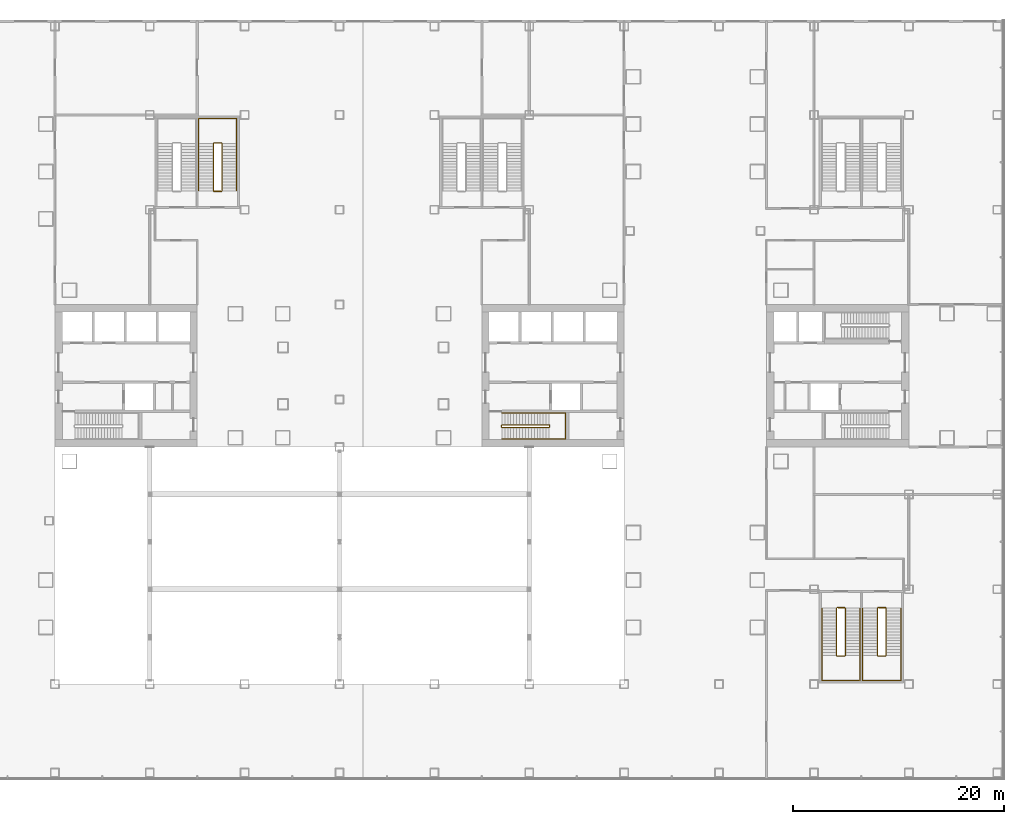
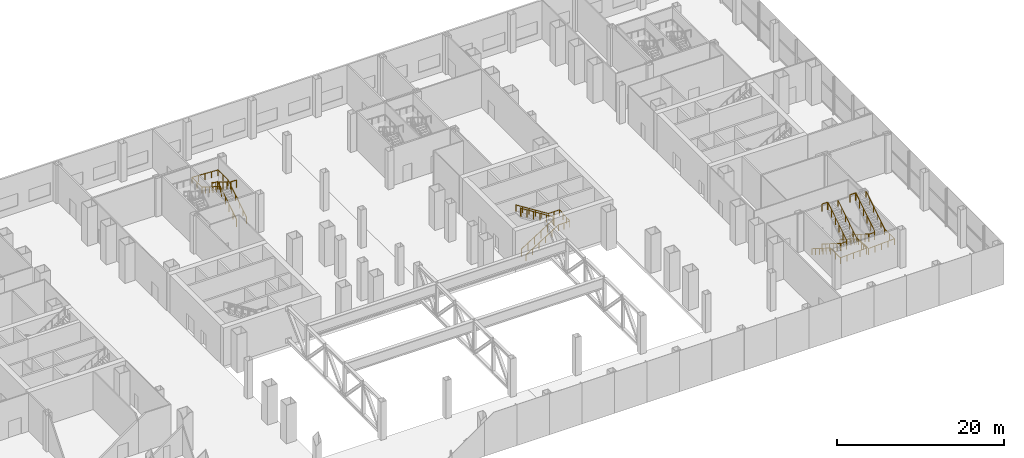
# One storey, part 31 of 33: 8 railings.
"""IFC4 building model written with IfcOpenShell, lengths in metres."""

from ifc_helpers import new_model, si_unit, direction, frame, origin, origin_2d, place, context, subcontext, project, spatial, circle, extrude, material, type_object, element, save


model = new_model("IFC4")

# Units and contexts
model_context = context("Model", 3, precision=1e-05, world=origin(), true_north=direction((0.0, 1.0)))
body_context = subcontext(model_context, "Body", "Model", "MODEL_VIEW")
ifc_project = project(units=[si_unit("LENGTHUNIT", "METRE"), si_unit("AREAUNIT", "SQUARE_METRE"), si_unit("VOLUMEUNIT", "CUBIC_METRE"), si_unit("PLANEANGLEUNIT", "RADIAN"), si_unit("MASSUNIT", "GRAM", prefix="KILO")], contexts=[model_context])

# Site, building, storey
site_placement = place(None, origin())
site = spatial("IfcSite", under=ifc_project, at=site_placement, CompositionType="ELEMENT")
building_placement = place(site_placement, origin())
building = spatial("IfcBuilding", under=site, at=building_placement, Name="Shamsa Quay Exchange Towers", CompositionType="ELEMENT")
storey_placement = place(building_placement, frame((0.0, 0.0, 6.5)))
storey = spatial("IfcBuildingStorey", under=building, at=storey_placement, Name="L01", CompositionType="ELEMENT", Elevation=6.5)

# Railings
ifc_material = material(Name="Stainless steel", Category="steel")
railing_type_1 = type_object("IfcRailingType", Name="STAIR GUARD 1100", PredefinedType="GUARDRAIL", material=ifc_material)
railing_1_placement = place(storey_placement, frame((15.39990234375, -4.89990234375, 0.176513671875)))
element("IfcRailing", 1, at=railing_1_placement, inside=storey, type_object=railing_type_1, Name="L01 ST4 stair guard 1", PredefinedType="GUARDRAIL", context=body_context, shape_type="SweptSolid", body=[
    extrude(circle(Radius=0.02392578125, at=origin_2d()), frame((0.0, 0.0, 1.076171875), z_axis=(0.845997938375, 0.0, 0.533186166611), x_axis=(0.0, 1.0, 0.0)), (0.0, 0.0, 1.0), 5.29541015625),
    extrude(circle(Radius=0.02392578125, at=origin_2d()), frame((4.47998046875, 0.0, 3.8994140625), z_axis=(0.708833529934, 0.705375805398, 0.0), x_axis=(-0.705375805398, 0.708833529934, 0.0)), (0.0, 0.0, 1.0), 0.070556640625),
    extrude(circle(Radius=0.02392578125, at=origin_2d()), frame((4.530029296875, 0.0498046875, 3.8994140625), z_axis=(0.0, 1.0, 0.0), x_axis=(-1.0, 0.0, 0.0)), (0.0, 0.0, 1.0), 0.150146484375),
    extrude(circle(Radius=0.02392578125, at=origin_2d()), frame((4.530029296875, 0.199951171875, 3.8994140625), z_axis=(-0.263171338983, 0.263171338983, 0.928160380902), x_axis=(-0.707106781187, -0.707106781187, 0.0)), (0.0, 0.0, 1.0), 0.190185546875),
    extrude(circle(Radius=0.02392578125, at=origin_2d()), frame((4.47998046875, 0.25, 4.076171875), z_axis=(-0.845997938375, 0.0, 0.533186166611), x_axis=(0.0, -1.0, 0.0)), (0.0, 0.0, 1.0), 5.29541015625),
    extrude(circle(Radius=0.02392578125, at=origin_2d()), frame((0.0, 0.25, 6.8994140625), z_axis=(-0.24142163986, -0.970420317083, 0.0), x_axis=(0.970420317083, -0.24142163986, 0.0)), (0.0, 0.0, 1.0), 0.206298828125),
    extrude(circle(Radius=0.02392578125, at=origin_2d()), frame((-0.0498046875, 0.0498046875, 6.8994140625), z_axis=(0.0, 1.0, 0.0), x_axis=(-1.0, 0.0, 0.0)), (0.0, 0.0, 1.0), 0.150146484375),
    extrude(circle(Radius=0.02099609375, at=origin_2d()), origin(), (0.0, 0.0, 1.0), 1.052001953125),
    extrude(circle(Radius=0.02099609375, at=origin_2d()), frame((0.89599609375, 0.0, 0.564697265625)), (0.0, 0.0, 1.0), 1.052001953125),
    extrude(circle(Radius=0.02099609375, at=origin_2d()), frame((1.7919921875, 0.0, 1.12939453125)), (0.0, 0.0, 1.0), 1.052001953125),
    extrude(circle(Radius=0.02099609375, at=origin_2d()), frame((2.68798828125, 0.0, 1.694091796875)), (0.0, 0.0, 1.0), 1.052001953125),
    extrude(circle(Radius=0.02099609375, at=origin_2d()), frame((3.583984375, 0.0, 2.2587890625)), (0.0, 0.0, 1.0), 1.052001953125),
    extrude(circle(Radius=0.02099609375, at=origin_2d()), frame((4.47998046875, 0.0, 2.823486328125)), (0.0, 0.0, 1.0), 1.052001953125),
    extrude(circle(Radius=0.02099609375, at=origin_2d()), frame((4.530029296875, 0.0498046875, 2.823486328125)), (0.0, 0.0, 1.0), 1.052001953125),
    extrude(circle(Radius=0.02099609375, at=origin_2d()), frame((4.530029296875, 0.199951171875, 2.823486328125)), (0.0, 0.0, 1.0), 1.052001953125),
    extrude(circle(Radius=0.02099609375, at=origin_2d()), frame((4.47998046875, 0.25, 3.0)), (0.0, 0.0, 1.0), 1.052001953125),
    extrude(circle(Radius=0.02099609375, at=origin_2d()), frame((3.583984375, 0.25, 3.564697265625)), (0.0, 0.0, 1.0), 1.052001953125),
    extrude(circle(Radius=0.02099609375, at=origin_2d()), frame((2.68798828125, 0.25, 4.12939453125)), (0.0, 0.0, 1.0), 1.052001953125),
    extrude(circle(Radius=0.02099609375, at=origin_2d()), frame((1.7919921875, 0.25, 4.694091796875)), (0.0, 0.0, 1.0), 1.052001953125),
    extrude(circle(Radius=0.02099609375, at=origin_2d()), frame((0.89599609375, 0.25, 5.2587890625)), (0.0, 0.0, 1.0), 1.052001953125),
    extrude(circle(Radius=0.02099609375, at=origin_2d()), frame((0.0, 0.25, 5.823486328125)), (0.0, 0.0, 1.0), 1.052001953125),
    extrude(circle(Radius=0.02099609375, at=origin_2d()), frame((-0.0498046875, 0.0498046875, 5.823486328125)), (0.0, 0.0, 1.0), 1.052001953125),
    extrude(circle(Radius=0.02099609375, at=origin_2d()), frame((-0.0498046875, 0.199951171875, 5.823486328125)), (0.0, 0.0, 1.0), 1.052001953125),
])
railing_2_placement = place(storey_placement, frame((-11.14990234375, 17.550048828125, 0.176513671875)))
element("IfcRailing", 2, at=railing_2_placement, inside=storey, type_object=railing_type_1, Name="L01 PS2B stair guard 1", PredefinedType="GUARDRAIL", context=body_context, shape_type="SweptSolid", body=[
    extrude(circle(Radius=0.02392578125, at=origin_2d()), frame((0.0, 0.0, 1.076171875), z_axis=(0.0, 0.845997938375, 0.533186166611), x_axis=(-1.0, 0.0, 0.0)), (0.0, 0.0, 1.0), 5.29541015625),
    extrude(circle(Radius=0.02392578125, at=origin_2d()), frame((0.0, 4.47998046875, 3.8994140625), z_axis=(-0.707106781187, 0.707106781187, 0.0), x_axis=(-0.707106781187, -0.707106781187, 0.0)), (0.0, 0.0, 1.0), 0.07080078125),
    extrude(circle(Radius=0.02392578125, at=origin_2d()), frame((-0.050048828125, 4.530029296875, 3.8994140625), z_axis=(-1.0, 0.0, 0.0), x_axis=(0.0, -1.0, 0.0)), (0.0, 0.0, 1.0), 0.72509765625),
    extrude(circle(Radius=0.02392578125, at=origin_2d()), frame((-0.775146484375, 4.530029296875, 3.8994140625), z_axis=(-0.263171338983, -0.263171338983, 0.928160380902), x_axis=(0.707106781187, -0.707106781187, 0.0)), (0.0, 0.0, 1.0), 0.190185546875),
    extrude(circle(Radius=0.02392578125, at=origin_2d()), frame((-0.8251953125, 4.47998046875, 4.076171875), z_axis=(0.0, -0.845997938375, 0.533186166611), x_axis=(1.0, 0.0, 0.0)), (0.0, 0.0, 1.0), 5.29541015625),
    extrude(circle(Radius=0.02392578125, at=origin_2d()), frame((-0.8251953125, 0.0, 6.8994140625), z_axis=(0.997922050633, -0.064432762324, 0.0), x_axis=(0.064432762324, 0.997922050633, 0.0)), (0.0, 0.0, 1.0), 0.77685546875),
    extrude(circle(Radius=0.02392578125, at=origin_2d()), frame((-0.050048828125, -0.050048828125, 6.8994140625), z_axis=(-1.0, 0.0, 0.0), x_axis=(0.0, -1.0, 0.0)), (0.0, 0.0, 1.0), 0.72509765625),
    extrude(circle(Radius=0.02099609375, at=origin_2d()), origin(), (0.0, 0.0, 1.0), 1.052001953125),
    extrude(circle(Radius=0.02099609375, at=origin_2d()), frame((0.0, 0.89599609375, 0.564697265625)), (0.0, 0.0, 1.0), 1.052001953125),
    extrude(circle(Radius=0.02099609375, at=origin_2d()), frame((0.0, 1.7919921875, 1.12939453125)), (0.0, 0.0, 1.0), 1.052001953125),
    extrude(circle(Radius=0.02099609375, at=origin_2d()), frame((0.0, 2.68798828125, 1.694091796875)), (0.0, 0.0, 1.0), 1.052001953125),
    extrude(circle(Radius=0.02099609375, at=origin_2d()), frame((0.0, 3.583984375, 2.2587890625)), (0.0, 0.0, 1.0), 1.052001953125),
    extrude(circle(Radius=0.02099609375, at=origin_2d()), frame((0.0, 4.47998046875, 2.823486328125)), (0.0, 0.0, 1.0), 1.052001953125),
    extrude(circle(Radius=0.02099609375, at=origin_2d()), frame((-0.050048828125, 4.530029296875, 2.823486328125)), (0.0, 0.0, 1.0), 1.052001953125),
    extrude(circle(Radius=0.02099609375, at=origin_2d()), frame((-0.775146484375, 4.530029296875, 2.823486328125)), (0.0, 0.0, 1.0), 1.052001953125),
    extrude(circle(Radius=0.02099609375, at=origin_2d()), frame((-0.8251953125, 4.47998046875, 3.0)), (0.0, 0.0, 1.0), 1.052001953125),
    extrude(circle(Radius=0.02099609375, at=origin_2d()), frame((-0.8251953125, 3.583984375, 3.564697265625)), (0.0, 0.0, 1.0), 1.052001953125),
    extrude(circle(Radius=0.02099609375, at=origin_2d()), frame((-0.8251953125, 2.68798828125, 4.12939453125)), (0.0, 0.0, 1.0), 1.052001953125),
    extrude(circle(Radius=0.02099609375, at=origin_2d()), frame((-0.8251953125, 1.7919921875, 4.694091796875)), (0.0, 0.0, 1.0), 1.052001953125),
    extrude(circle(Radius=0.02099609375, at=origin_2d()), frame((-0.8251953125, 0.89599609375, 5.2587890625)), (0.0, 0.0, 1.0), 1.052001953125),
    extrude(circle(Radius=0.02099609375, at=origin_2d()), frame((-0.8251953125, 0.0, 5.823486328125)), (0.0, 0.0, 1.0), 1.052001953125),
    extrude(circle(Radius=0.02099609375, at=origin_2d()), frame((-0.050048828125, -0.050048828125, 5.823486328125)), (0.0, 0.0, 1.0), 1.052001953125),
    extrude(circle(Radius=0.02099609375, at=origin_2d()), frame((-0.775146484375, -0.050048828125, 5.823486328125)), (0.0, 0.0, 1.0), 1.052001953125),
])
railing_3_placement = place(storey_placement, frame((47.14990234375, -22.050048828125, 0.176513671875)))
element("IfcRailing", 3, at=railing_3_placement, inside=storey, type_object=railing_type_1, Name="L01 PS6A stair guard 1", PredefinedType="GUARDRAIL", context=body_context, shape_type="SweptSolid", body=[
    extrude(circle(Radius=0.02392578125, at=origin_2d()), frame((0.0, 0.0, 1.076171875), z_axis=(0.0, -0.845997938375, 0.533186166611), x_axis=(1.0, 0.0, 0.0)), (0.0, 0.0, 1.0), 5.29541015625),
    extrude(circle(Radius=0.02392578125, at=origin_2d()), frame((0.0, -4.47998046875, 3.8994140625), z_axis=(0.707106781187, -0.707106781187, 0.0), x_axis=(0.707106781187, 0.707106781187, 0.0)), (0.0, 0.0, 1.0), 0.07080078125),
    extrude(circle(Radius=0.02392578125, at=origin_2d()), frame((0.050048828125, -4.530029296875, 3.8994140625), z_axis=(1.0, 0.0, 0.0), x_axis=(0.0, 1.0, 0.0)), (0.0, 0.0, 1.0), 0.72509765625),
    extrude(circle(Radius=0.02392578125, at=origin_2d()), frame((0.775146484375, -4.530029296875, 3.8994140625), z_axis=(0.263171338983, 0.263171338983, 0.928160380902), x_axis=(-0.707106781187, 0.707106781187, 0.0)), (0.0, 0.0, 1.0), 0.190185546875),
    extrude(circle(Radius=0.02392578125, at=origin_2d()), frame((0.8251953125, -4.47998046875, 4.076171875), z_axis=(0.0, 0.845997938375, 0.533186166611), x_axis=(-1.0, 0.0, 0.0)), (0.0, 0.0, 1.0), 5.29541015625),
    extrude(circle(Radius=0.02392578125, at=origin_2d()), frame((0.8251953125, 0.0, 6.8994140625), z_axis=(-0.997922050633, 0.064432762324, 0.0), x_axis=(-0.064432762324, -0.997922050633, 0.0)), (0.0, 0.0, 1.0), 0.77685546875),
    extrude(circle(Radius=0.02392578125, at=origin_2d()), frame((0.050048828125, 0.050048828125, 6.8994140625), z_axis=(1.0, 0.0, 0.0), x_axis=(0.0, 1.0, 0.0)), (0.0, 0.0, 1.0), 0.72509765625),
    extrude(circle(Radius=0.02099609375, at=origin_2d()), origin(), (0.0, 0.0, 1.0), 1.052001953125),
    extrude(circle(Radius=0.02099609375, at=origin_2d()), frame((0.0, -0.89599609375, 0.564697265625)), (0.0, 0.0, 1.0), 1.052001953125),
    extrude(circle(Radius=0.02099609375, at=origin_2d()), frame((0.0, -1.7919921875, 1.12939453125)), (0.0, 0.0, 1.0), 1.052001953125),
    extrude(circle(Radius=0.02099609375, at=origin_2d()), frame((0.0, -2.68798828125, 1.694091796875)), (0.0, 0.0, 1.0), 1.052001953125),
    extrude(circle(Radius=0.02099609375, at=origin_2d()), frame((0.0, -3.583984375, 2.2587890625)), (0.0, 0.0, 1.0), 1.052001953125),
    extrude(circle(Radius=0.02099609375, at=origin_2d()), frame((0.0, -4.47998046875, 2.823486328125)), (0.0, 0.0, 1.0), 1.052001953125),
    extrude(circle(Radius=0.02099609375, at=origin_2d()), frame((0.050048828125, -4.530029296875, 2.823486328125)), (0.0, 0.0, 1.0), 1.052001953125),
    extrude(circle(Radius=0.02099609375, at=origin_2d()), frame((0.775146484375, -4.530029296875, 2.823486328125)), (0.0, 0.0, 1.0), 1.052001953125),
    extrude(circle(Radius=0.02099609375, at=origin_2d()), frame((0.8251953125, -4.47998046875, 3.0)), (0.0, 0.0, 1.0), 1.052001953125),
    extrude(circle(Radius=0.02099609375, at=origin_2d()), frame((0.8251953125, -3.583984375, 3.564697265625)), (0.0, 0.0, 1.0), 1.052001953125),
    extrude(circle(Radius=0.02099609375, at=origin_2d()), frame((0.8251953125, -2.68798828125, 4.12939453125)), (0.0, 0.0, 1.0), 1.052001953125),
    extrude(circle(Radius=0.02099609375, at=origin_2d()), frame((0.8251953125, -1.7919921875, 4.694091796875)), (0.0, 0.0, 1.0), 1.052001953125),
    extrude(circle(Radius=0.02099609375, at=origin_2d()), frame((0.8251953125, -0.89599609375, 5.2587890625)), (0.0, 0.0, 1.0), 1.052001953125),
    extrude(circle(Radius=0.02099609375, at=origin_2d()), frame((0.8251953125, 0.0, 5.823486328125)), (0.0, 0.0, 1.0), 1.052001953125),
    extrude(circle(Radius=0.02099609375, at=origin_2d()), frame((0.050048828125, 0.050048828125, 5.823486328125)), (0.0, 0.0, 1.0), 1.052001953125),
    extrude(circle(Radius=0.02099609375, at=origin_2d()), frame((0.775146484375, 0.050048828125, 5.823486328125)), (0.0, 0.0, 1.0), 1.052001953125),
])
railing_4_placement = place(storey_placement, frame((51.02490234375, -22.050048828125, 0.176513671875)))
element("IfcRailing", 4, at=railing_4_placement, inside=storey, type_object=railing_type_1, Name="L01 PS6B stair guard 1", PredefinedType="GUARDRAIL", context=body_context, shape_type="SweptSolid", body=[
    extrude(circle(Radius=0.02392578125, at=origin_2d()), frame((0.0, 0.0, 1.076171875), z_axis=(0.0, -0.845997938375, 0.533186166611), x_axis=(1.0, 0.0, 0.0)), (0.0, 0.0, 1.0), 5.29541015625),
    extrude(circle(Radius=0.02392578125, at=origin_2d()), frame((0.0, -4.47998046875, 3.8994140625), z_axis=(0.707106781187, -0.707106781187, 0.0), x_axis=(0.707106781187, 0.707106781187, 0.0)), (0.0, 0.0, 1.0), 0.07080078125),
    extrude(circle(Radius=0.02392578125, at=origin_2d()), frame((0.050048828125, -4.530029296875, 3.8994140625), z_axis=(1.0, 0.0, 0.0), x_axis=(0.0, 1.0, 0.0)), (0.0, 0.0, 1.0), 0.72509765625),
    extrude(circle(Radius=0.02392578125, at=origin_2d()), frame((0.775146484375, -4.530029296875, 3.8994140625), z_axis=(0.263171338983, 0.263171338983, 0.928160380902), x_axis=(-0.707106781187, 0.707106781187, 0.0)), (0.0, 0.0, 1.0), 0.190185546875),
    extrude(circle(Radius=0.02392578125, at=origin_2d()), frame((0.8251953125, -4.47998046875, 4.076171875), z_axis=(0.0, 0.845997938375, 0.533186166611), x_axis=(-1.0, 0.0, 0.0)), (0.0, 0.0, 1.0), 5.29541015625),
    extrude(circle(Radius=0.02392578125, at=origin_2d()), frame((0.8251953125, 0.0, 6.8994140625), z_axis=(-0.997922050633, 0.064432762324, 0.0), x_axis=(-0.064432762324, -0.997922050633, 0.0)), (0.0, 0.0, 1.0), 0.77685546875),
    extrude(circle(Radius=0.02392578125, at=origin_2d()), frame((0.050048828125, 0.050048828125, 6.8994140625), z_axis=(1.0, 0.0, 0.0), x_axis=(0.0, 1.0, 0.0)), (0.0, 0.0, 1.0), 0.72509765625),
    extrude(circle(Radius=0.02099609375, at=origin_2d()), origin(), (0.0, 0.0, 1.0), 1.052001953125),
    extrude(circle(Radius=0.02099609375, at=origin_2d()), frame((0.0, -0.89599609375, 0.564697265625)), (0.0, 0.0, 1.0), 1.052001953125),
    extrude(circle(Radius=0.02099609375, at=origin_2d()), frame((0.0, -1.7919921875, 1.12939453125)), (0.0, 0.0, 1.0), 1.052001953125),
    extrude(circle(Radius=0.02099609375, at=origin_2d()), frame((0.0, -2.68798828125, 1.694091796875)), (0.0, 0.0, 1.0), 1.052001953125),
    extrude(circle(Radius=0.02099609375, at=origin_2d()), frame((0.0, -3.583984375, 2.2587890625)), (0.0, 0.0, 1.0), 1.052001953125),
    extrude(circle(Radius=0.02099609375, at=origin_2d()), frame((0.0, -4.47998046875, 2.823486328125)), (0.0, 0.0, 1.0), 1.052001953125),
    extrude(circle(Radius=0.02099609375, at=origin_2d()), frame((0.050048828125, -4.530029296875, 2.823486328125)), (0.0, 0.0, 1.0), 1.052001953125),
    extrude(circle(Radius=0.02099609375, at=origin_2d()), frame((0.775146484375, -4.530029296875, 2.823486328125)), (0.0, 0.0, 1.0), 1.052001953125),
    extrude(circle(Radius=0.02099609375, at=origin_2d()), frame((0.8251953125, -4.47998046875, 3.0)), (0.0, 0.0, 1.0), 1.052001953125),
    extrude(circle(Radius=0.02099609375, at=origin_2d()), frame((0.8251953125, -3.583984375, 3.564697265625)), (0.0, 0.0, 1.0), 1.052001953125),
    extrude(circle(Radius=0.02099609375, at=origin_2d()), frame((0.8251953125, -2.68798828125, 4.12939453125)), (0.0, 0.0, 1.0), 1.052001953125),
    extrude(circle(Radius=0.02099609375, at=origin_2d()), frame((0.8251953125, -1.7919921875, 4.694091796875)), (0.0, 0.0, 1.0), 1.052001953125),
    extrude(circle(Radius=0.02099609375, at=origin_2d()), frame((0.8251953125, -0.89599609375, 5.2587890625)), (0.0, 0.0, 1.0), 1.052001953125),
    extrude(circle(Radius=0.02099609375, at=origin_2d()), frame((0.8251953125, 0.0, 5.823486328125)), (0.0, 0.0, 1.0), 1.052001953125),
    extrude(circle(Radius=0.02099609375, at=origin_2d()), frame((0.050048828125, 0.050048828125, 5.823486328125)), (0.0, 0.0, 1.0), 1.052001953125),
    extrude(circle(Radius=0.02099609375, at=origin_2d()), frame((0.775146484375, 0.050048828125, 5.823486328125)), (0.0, 0.0, 1.0), 1.052001953125),
])
railing_type_2 = type_object("IfcRailingType", Name="STAIR HANDRAIL 900", PredefinedType="HANDRAIL", material=ifc_material)
railing_5_placement = place(storey_placement, frame((15.39990234375, -6.0, 0.176513671875)))
element("IfcRailing", 5, at=railing_5_placement, inside=storey, type_object=railing_type_2, Name="L01 ST4 stair handrail 1", PredefinedType="HANDRAIL", context=body_context, shape_type="SweptSolid", body=[
    extrude(circle(Radius=0.02392578125, at=origin_2d()), frame((0.0, 0.0, 0.8759765625), z_axis=(0.845997938375, 0.0, 0.533186166611), x_axis=(0.0, 1.0, 0.0)), (0.0, 0.0, 1.0), 5.29541015625),
    extrude(circle(Radius=0.02392578125, at=origin_2d()), frame((4.47998046875, 0.0, 3.69921875), z_axis=(1.0, 0.0, 0.0), x_axis=(0.0, 1.0, 0.0)), (0.0, 0.0, 1.0), 1.570068359375),
    extrude(circle(Radius=0.02392578125, at=origin_2d()), frame((6.050048828125, 0.0, 3.69921875), z_axis=(0.0, 0.997414615901, 0.071861561265), x_axis=(-1.0, 0.0, 0.0)), (0.0, 0.0, 1.0), 2.456298828125),
    extrude(circle(Radius=0.02392578125, at=origin_2d()), frame((6.050048828125, 2.449951171875, 3.8759765625), z_axis=(-1.0, 0.0, 0.0), x_axis=(0.0, -1.0, 0.0)), (0.0, 0.0, 1.0), 1.570068359375),
    extrude(circle(Radius=0.02392578125, at=origin_2d()), frame((4.47998046875, 2.449951171875, 3.8759765625), z_axis=(-0.845997938375, 0.0, 0.533186166611), x_axis=(0.0, -1.0, 0.0)), (0.0, 0.0, 1.0), 5.29541015625),
    extrude(circle(Radius=0.02099609375, at=origin_2d()), origin(), (0.0, 0.0, 1.0), 0.851806640625),
    extrude(circle(Radius=0.02099609375, at=origin_2d()), frame((0.89599609375, 0.0, 0.564697265625)), (0.0, 0.0, 1.0), 0.851806640625),
    extrude(circle(Radius=0.02099609375, at=origin_2d()), frame((1.7919921875, 0.0, 1.12939453125)), (0.0, 0.0, 1.0), 0.851806640625),
    extrude(circle(Radius=0.02099609375, at=origin_2d()), frame((2.68798828125, 0.0, 1.694091796875)), (0.0, 0.0, 1.0), 0.851806640625),
    extrude(circle(Radius=0.02099609375, at=origin_2d()), frame((3.583984375, 0.0, 2.2587890625)), (0.0, 0.0, 1.0), 0.851806640625),
    extrude(circle(Radius=0.02099609375, at=origin_2d()), frame((4.47998046875, 0.0, 2.823486328125)), (0.0, 0.0, 1.0), 0.851806640625),
    extrude(circle(Radius=0.02099609375, at=origin_2d()), frame((5.26513671875, 0.0, 2.823486328125)), (0.0, 0.0, 1.0), 0.851806640625),
    extrude(circle(Radius=0.02099609375, at=origin_2d()), frame((6.050048828125, 0.0, 2.823486328125)), (0.0, 0.0, 1.0), 0.851806640625),
    extrude(circle(Radius=0.02099609375, at=origin_2d()), frame((6.050048828125, 0.816650390625, 2.88232421875)), (0.0, 0.0, 1.0), 0.851806640625),
    extrude(circle(Radius=0.02099609375, at=origin_2d()), frame((6.050048828125, 1.63330078125, 2.941162109375)), (0.0, 0.0, 1.0), 0.851806640625),
    extrude(circle(Radius=0.02099609375, at=origin_2d()), frame((6.050048828125, 2.449951171875, 3.0)), (0.0, 0.0, 1.0), 0.851806640625),
    extrude(circle(Radius=0.02099609375, at=origin_2d()), frame((5.26513671875, 2.449951171875, 3.0)), (0.0, 0.0, 1.0), 0.851806640625),
    extrude(circle(Radius=0.02099609375, at=origin_2d()), frame((4.47998046875, 2.449951171875, 3.0)), (0.0, 0.0, 1.0), 0.851806640625),
    extrude(circle(Radius=0.02099609375, at=origin_2d()), frame((3.583984375, 2.449951171875, 3.564697265625)), (0.0, 0.0, 1.0), 0.851806640625),
    extrude(circle(Radius=0.02099609375, at=origin_2d()), frame((2.68798828125, 2.449951171875, 4.12939453125)), (0.0, 0.0, 1.0), 0.851806640625),
    extrude(circle(Radius=0.02099609375, at=origin_2d()), frame((1.7919921875, 2.449951171875, 4.694091796875)), (0.0, 0.0, 1.0), 0.851806640625),
    extrude(circle(Radius=0.02099609375, at=origin_2d()), frame((0.89599609375, 2.449951171875, 5.2587890625)), (0.0, 0.0, 1.0), 0.851806640625),
    extrude(circle(Radius=0.02099609375, at=origin_2d()), frame((0.0, 2.449951171875, 5.823486328125)), (0.0, 0.0, 1.0), 0.851806640625),
])
railing_6_placement = place(storey_placement, frame((-9.75, 17.550048828125, 0.176513671875)))
element("IfcRailing", 6, at=railing_6_placement, inside=storey, type_object=railing_type_2, Name="L01 PS2B stair handrail 1", PredefinedType="HANDRAIL", context=body_context, shape_type="SweptSolid", body=[
    extrude(circle(Radius=0.02392578125, at=origin_2d()), frame((0.0, 0.0, 0.8759765625), z_axis=(0.0, 0.845997938375, 0.533186166611), x_axis=(-1.0, 0.0, 0.0)), (0.0, 0.0, 1.0), 5.29541015625),
    extrude(circle(Radius=0.02392578125, at=origin_2d()), frame((0.0, 4.47998046875, 3.69921875), z_axis=(0.0, 1.0, 0.0), x_axis=(-1.0, 0.0, 0.0)), (0.0, 0.0, 1.0), 2.369873046875),
    extrude(circle(Radius=0.02392578125, at=origin_2d()), frame((0.0, 6.849853515625, 3.69921875), z_axis=(-0.998816579144, 0.0, 0.048635801907), x_axis=(0.0, -1.0, 0.0)), (0.0, 0.0, 1.0), 3.62939453125),
    extrude(circle(Radius=0.02392578125, at=origin_2d()), frame((-3.625, 6.849853515625, 3.8759765625), z_axis=(0.0, -1.0, 0.0), x_axis=(1.0, 0.0, 0.0)), (0.0, 0.0, 1.0), 2.369873046875),
    extrude(circle(Radius=0.02392578125, at=origin_2d()), frame((-3.625, 4.47998046875, 3.8759765625), z_axis=(0.0, -0.845997938375, 0.533186166611), x_axis=(1.0, 0.0, 0.0)), (0.0, 0.0, 1.0), 5.29541015625),
    extrude(circle(Radius=0.02099609375, at=origin_2d()), origin(), (0.0, 0.0, 1.0), 0.851806640625),
    extrude(circle(Radius=0.02099609375, at=origin_2d()), frame((0.0, 0.89599609375, 0.564697265625)), (0.0, 0.0, 1.0), 0.851806640625),
    extrude(circle(Radius=0.02099609375, at=origin_2d()), frame((0.0, 1.7919921875, 1.12939453125)), (0.0, 0.0, 1.0), 0.851806640625),
    extrude(circle(Radius=0.02099609375, at=origin_2d()), frame((0.0, 2.68798828125, 1.694091796875)), (0.0, 0.0, 1.0), 0.851806640625),
    extrude(circle(Radius=0.02099609375, at=origin_2d()), frame((0.0, 3.583984375, 2.2587890625)), (0.0, 0.0, 1.0), 0.851806640625),
    extrude(circle(Radius=0.02099609375, at=origin_2d()), frame((0.0, 4.47998046875, 2.823486328125)), (0.0, 0.0, 1.0), 0.851806640625),
    extrude(circle(Radius=0.02099609375, at=origin_2d()), frame((0.0, 5.6650390625, 2.823486328125)), (0.0, 0.0, 1.0), 0.851806640625),
    extrude(circle(Radius=0.02099609375, at=origin_2d()), frame((0.0, 6.849853515625, 2.823486328125)), (0.0, 0.0, 1.0), 0.851806640625),
    extrude(circle(Radius=0.02099609375, at=origin_2d()), frame((-0.90625, 6.849853515625, 2.86767578125)), (0.0, 0.0, 1.0), 0.851806640625),
    extrude(circle(Radius=0.02099609375, at=origin_2d()), frame((-1.8125, 6.849853515625, 2.91162109375)), (0.0, 0.0, 1.0), 0.851806640625),
    extrude(circle(Radius=0.02099609375, at=origin_2d()), frame((-2.71875, 6.849853515625, 2.955810546875)), (0.0, 0.0, 1.0), 0.851806640625),
    extrude(circle(Radius=0.02099609375, at=origin_2d()), frame((-3.625, 6.849853515625, 3.0)), (0.0, 0.0, 1.0), 0.851806640625),
    extrude(circle(Radius=0.02099609375, at=origin_2d()), frame((-3.625, 5.6650390625, 3.0)), (0.0, 0.0, 1.0), 0.851806640625),
    extrude(circle(Radius=0.02099609375, at=origin_2d()), frame((-3.625, 4.47998046875, 3.0)), (0.0, 0.0, 1.0), 0.851806640625),
    extrude(circle(Radius=0.02099609375, at=origin_2d()), frame((-3.625, 3.583984375, 3.564697265625)), (0.0, 0.0, 1.0), 0.851806640625),
    extrude(circle(Radius=0.02099609375, at=origin_2d()), frame((-3.625, 2.68798828125, 4.12939453125)), (0.0, 0.0, 1.0), 0.851806640625),
    extrude(circle(Radius=0.02099609375, at=origin_2d()), frame((-3.625, 1.7919921875, 4.694091796875)), (0.0, 0.0, 1.0), 0.851806640625),
    extrude(circle(Radius=0.02099609375, at=origin_2d()), frame((-3.625, 0.89599609375, 5.2587890625)), (0.0, 0.0, 1.0), 0.851806640625),
    extrude(circle(Radius=0.02099609375, at=origin_2d()), frame((-3.625, 0.0, 5.823486328125)), (0.0, 0.0, 1.0), 0.851806640625),
])
railing_7_placement = place(storey_placement, frame((45.75, -22.050048828125, 0.176513671875)))
element("IfcRailing", 7, at=railing_7_placement, inside=storey, type_object=railing_type_2, Name="L01 PS6A stair handrail 1", PredefinedType="HANDRAIL", context=body_context, shape_type="SweptSolid", body=[
    extrude(circle(Radius=0.02392578125, at=origin_2d()), frame((0.0, 0.0, 0.8759765625), z_axis=(0.0, -0.845997938375, 0.533186166611), x_axis=(1.0, 0.0, 0.0)), (0.0, 0.0, 1.0), 5.29541015625),
    extrude(circle(Radius=0.02392578125, at=origin_2d()), frame((0.0, -4.47998046875, 3.69921875), z_axis=(0.0, -1.0, 0.0), x_axis=(1.0, 0.0, 0.0)), (0.0, 0.0, 1.0), 2.369873046875),
    extrude(circle(Radius=0.02392578125, at=origin_2d()), frame((0.0, -6.849853515625, 3.69921875), z_axis=(0.998816579144, 0.0, 0.048635801907), x_axis=(0.0, 1.0, 0.0)), (0.0, 0.0, 1.0), 3.62939453125),
    extrude(circle(Radius=0.02392578125, at=origin_2d()), frame((3.625, -6.849853515625, 3.8759765625), z_axis=(0.0, 1.0, 0.0), x_axis=(-1.0, 0.0, 0.0)), (0.0, 0.0, 1.0), 2.369873046875),
    extrude(circle(Radius=0.02392578125, at=origin_2d()), frame((3.625, -4.47998046875, 3.8759765625), z_axis=(0.0, 0.845997938375, 0.533186166611), x_axis=(-1.0, 0.0, 0.0)), (0.0, 0.0, 1.0), 5.29541015625),
    extrude(circle(Radius=0.02099609375, at=origin_2d()), origin(), (0.0, 0.0, 1.0), 0.851806640625),
    extrude(circle(Radius=0.02099609375, at=origin_2d()), frame((0.0, -0.89599609375, 0.564697265625)), (0.0, 0.0, 1.0), 0.851806640625),
    extrude(circle(Radius=0.02099609375, at=origin_2d()), frame((0.0, -1.7919921875, 1.12939453125)), (0.0, 0.0, 1.0), 0.851806640625),
    extrude(circle(Radius=0.02099609375, at=origin_2d()), frame((0.0, -2.68798828125, 1.694091796875)), (0.0, 0.0, 1.0), 0.851806640625),
    extrude(circle(Radius=0.02099609375, at=origin_2d()), frame((0.0, -3.583984375, 2.2587890625)), (0.0, 0.0, 1.0), 0.851806640625),
    extrude(circle(Radius=0.02099609375, at=origin_2d()), frame((0.0, -4.47998046875, 2.823486328125)), (0.0, 0.0, 1.0), 0.851806640625),
    extrude(circle(Radius=0.02099609375, at=origin_2d()), frame((0.0, -5.6650390625, 2.823486328125)), (0.0, 0.0, 1.0), 0.851806640625),
    extrude(circle(Radius=0.02099609375, at=origin_2d()), frame((0.0, -6.849853515625, 2.823486328125)), (0.0, 0.0, 1.0), 0.851806640625),
    extrude(circle(Radius=0.02099609375, at=origin_2d()), frame((0.90625, -6.849853515625, 2.86767578125)), (0.0, 0.0, 1.0), 0.851806640625),
    extrude(circle(Radius=0.02099609375, at=origin_2d()), frame((1.8125, -6.849853515625, 2.91162109375)), (0.0, 0.0, 1.0), 0.851806640625),
    extrude(circle(Radius=0.02099609375, at=origin_2d()), frame((2.71875, -6.849853515625, 2.955810546875)), (0.0, 0.0, 1.0), 0.851806640625),
    extrude(circle(Radius=0.02099609375, at=origin_2d()), frame((3.625, -6.849853515625, 3.0)), (0.0, 0.0, 1.0), 0.851806640625),
    extrude(circle(Radius=0.02099609375, at=origin_2d()), frame((3.625, -5.6650390625, 3.0)), (0.0, 0.0, 1.0), 0.851806640625),
    extrude(circle(Radius=0.02099609375, at=origin_2d()), frame((3.625, -4.47998046875, 3.0)), (0.0, 0.0, 1.0), 0.851806640625),
    extrude(circle(Radius=0.02099609375, at=origin_2d()), frame((3.625, -3.583984375, 3.564697265625)), (0.0, 0.0, 1.0), 0.851806640625),
    extrude(circle(Radius=0.02099609375, at=origin_2d()), frame((3.625, -2.68798828125, 4.12939453125)), (0.0, 0.0, 1.0), 0.851806640625),
    extrude(circle(Radius=0.02099609375, at=origin_2d()), frame((3.625, -1.7919921875, 4.694091796875)), (0.0, 0.0, 1.0), 0.851806640625),
    extrude(circle(Radius=0.02099609375, at=origin_2d()), frame((3.625, -0.89599609375, 5.2587890625)), (0.0, 0.0, 1.0), 0.851806640625),
    extrude(circle(Radius=0.02099609375, at=origin_2d()), frame((3.625, 0.0, 5.823486328125)), (0.0, 0.0, 1.0), 0.851806640625),
])
railing_8_placement = place(storey_placement, frame((49.625, -22.050048828125, 0.176513671875)))
element("IfcRailing", 8, at=railing_8_placement, inside=storey, type_object=railing_type_2, Name="L01 PS6B stair handrail 1", PredefinedType="HANDRAIL", context=body_context, shape_type="SweptSolid", body=[
    extrude(circle(Radius=0.02392578125, at=origin_2d()), frame((0.0, 0.0, 0.8759765625), z_axis=(0.0, -0.845997938375, 0.533186166611), x_axis=(1.0, 0.0, 0.0)), (0.0, 0.0, 1.0), 5.29541015625),
    extrude(circle(Radius=0.02392578125, at=origin_2d()), frame((0.0, -4.47998046875, 3.69921875), z_axis=(0.0, -1.0, 0.0), x_axis=(1.0, 0.0, 0.0)), (0.0, 0.0, 1.0), 2.369873046875),
    extrude(circle(Radius=0.02392578125, at=origin_2d()), frame((0.0, -6.849853515625, 3.69921875), z_axis=(0.998816579144, 0.0, 0.048635801907), x_axis=(0.0, 1.0, 0.0)), (0.0, 0.0, 1.0), 3.62939453125),
    extrude(circle(Radius=0.02392578125, at=origin_2d()), frame((3.625, -6.849853515625, 3.8759765625), z_axis=(0.0, 1.0, 0.0), x_axis=(-1.0, 0.0, 0.0)), (0.0, 0.0, 1.0), 2.369873046875),
    extrude(circle(Radius=0.02392578125, at=origin_2d()), frame((3.625, -4.47998046875, 3.8759765625), z_axis=(0.0, 0.845997938375, 0.533186166611), x_axis=(-1.0, 0.0, 0.0)), (0.0, 0.0, 1.0), 5.29541015625),
    extrude(circle(Radius=0.02099609375, at=origin_2d()), origin(), (0.0, 0.0, 1.0), 0.851806640625),
    extrude(circle(Radius=0.02099609375, at=origin_2d()), frame((0.0, -0.89599609375, 0.564697265625)), (0.0, 0.0, 1.0), 0.851806640625),
    extrude(circle(Radius=0.02099609375, at=origin_2d()), frame((0.0, -1.7919921875, 1.12939453125)), (0.0, 0.0, 1.0), 0.851806640625),
    extrude(circle(Radius=0.02099609375, at=origin_2d()), frame((0.0, -2.68798828125, 1.694091796875)), (0.0, 0.0, 1.0), 0.851806640625),
    extrude(circle(Radius=0.02099609375, at=origin_2d()), frame((0.0, -3.583984375, 2.2587890625)), (0.0, 0.0, 1.0), 0.851806640625),
    extrude(circle(Radius=0.02099609375, at=origin_2d()), frame((0.0, -4.47998046875, 2.823486328125)), (0.0, 0.0, 1.0), 0.851806640625),
    extrude(circle(Radius=0.02099609375, at=origin_2d()), frame((0.0, -5.6650390625, 2.823486328125)), (0.0, 0.0, 1.0), 0.851806640625),
    extrude(circle(Radius=0.02099609375, at=origin_2d()), frame((0.0, -6.849853515625, 2.823486328125)), (0.0, 0.0, 1.0), 0.851806640625),
    extrude(circle(Radius=0.02099609375, at=origin_2d()), frame((0.90625, -6.849853515625, 2.86767578125)), (0.0, 0.0, 1.0), 0.851806640625),
    extrude(circle(Radius=0.02099609375, at=origin_2d()), frame((1.8125, -6.849853515625, 2.91162109375)), (0.0, 0.0, 1.0), 0.851806640625),
    extrude(circle(Radius=0.02099609375, at=origin_2d()), frame((2.71875, -6.849853515625, 2.955810546875)), (0.0, 0.0, 1.0), 0.851806640625),
    extrude(circle(Radius=0.02099609375, at=origin_2d()), frame((3.625, -6.849853515625, 3.0)), (0.0, 0.0, 1.0), 0.851806640625),
    extrude(circle(Radius=0.02099609375, at=origin_2d()), frame((3.625, -5.6650390625, 3.0)), (0.0, 0.0, 1.0), 0.851806640625),
    extrude(circle(Radius=0.02099609375, at=origin_2d()), frame((3.625, -4.47998046875, 3.0)), (0.0, 0.0, 1.0), 0.851806640625),
    extrude(circle(Radius=0.02099609375, at=origin_2d()), frame((3.625, -3.583984375, 3.564697265625)), (0.0, 0.0, 1.0), 0.851806640625),
    extrude(circle(Radius=0.02099609375, at=origin_2d()), frame((3.625, -2.68798828125, 4.12939453125)), (0.0, 0.0, 1.0), 0.851806640625),
    extrude(circle(Radius=0.02099609375, at=origin_2d()), frame((3.625, -1.7919921875, 4.694091796875)), (0.0, 0.0, 1.0), 0.851806640625),
    extrude(circle(Radius=0.02099609375, at=origin_2d()), frame((3.625, -0.89599609375, 5.2587890625)), (0.0, 0.0, 1.0), 0.851806640625),
    extrude(circle(Radius=0.02099609375, at=origin_2d()), frame((3.625, 0.0, 5.823486328125)), (0.0, 0.0, 1.0), 0.851806640625),
])

save(model, "model.ifc")
